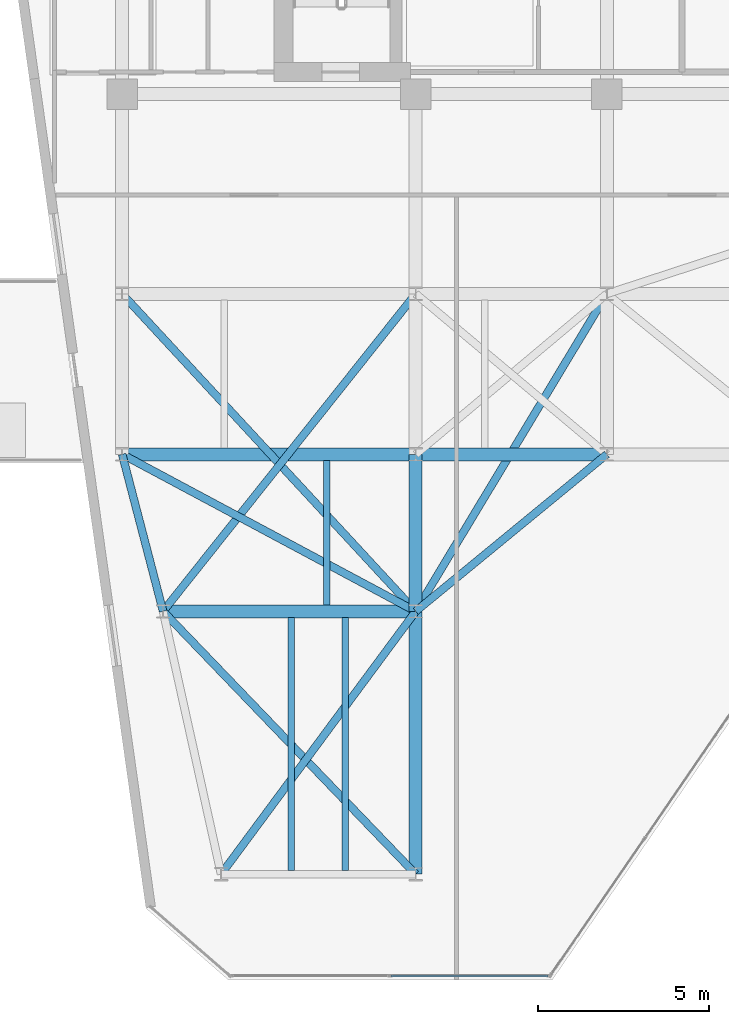
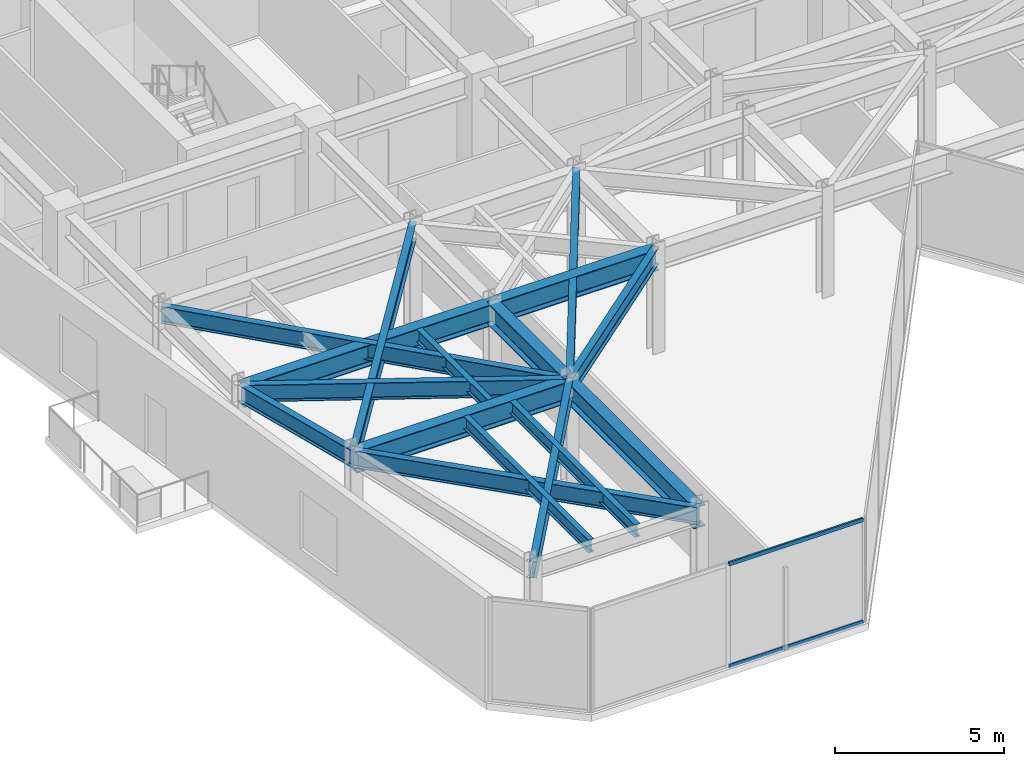
# One storey, part 3 of 21: 16 beams, 2 members, 1 element without a shape of its own.
"""IFC4 building model written with IfcOpenShell, lengths in metres."""

from ifc_helpers import new_model, si_unit, direction, frame, origin, origin_2d, place, context, subcontext, project, spatial, hollow_rectangle, i_section, extrude, material, layer, layer_set, material_profile, profile_set, type_object, element, aggregate, save


model = new_model("IFC4")

# Units and contexts
model_context = context("Model", 3, precision=1e-05, world=origin(), true_north=direction((0.0, 1.0)))
body_context = subcontext(model_context, "Body", "Model", "MODEL_VIEW")
ifc_project = project(units=[si_unit("LENGTHUNIT", "METRE"), si_unit("AREAUNIT", "SQUARE_METRE"), si_unit("VOLUMEUNIT", "CUBIC_METRE"), si_unit("PLANEANGLEUNIT", "RADIAN"), si_unit("MASSUNIT", "GRAM", prefix="KILO")], contexts=[model_context])

# Site, building, storey
site_placement = place(None, origin())
site = spatial("IfcSite", under=ifc_project, at=site_placement, CompositionType="ELEMENT")
building_placement = place(site_placement, origin())
building = spatial("IfcBuilding", under=site, at=building_placement, Name="Kravanh Interchange Tower", CompositionType="ELEMENT")
storey_placement = place(building_placement, frame((0.0, 0.0, 200.5)))
storey = spatial("IfcBuildingStorey", under=building, at=storey_placement, Name="L48", CompositionType="ELEMENT", Elevation=200.5)

# Curtain wall, members
ifc_material_1 = material(Name="Anodised Bronze Aluminium", Category="aluminium")
ifc_layer = layer(ifc_material_1, 0.179931640625)
ifc_layer_set = layer_set([ifc_layer], Name="Unitised Curtain Wall System CW-Z3 Upper Office")
curtain_wall_type = type_object("IfcCurtainWallType", Name="Unitised Curtain Wall System CW-Z3 Upper Office", PredefinedType="NOTDEFINED", material=ifc_layer_set)
curtain_wall_placement = place(storey_placement, origin())
curtain_wall = element("IfcCurtainWall", 1, at=curtain_wall_placement, inside=storey, type_object=curtain_wall_type, Name="L48 Unitised Curtain Wall CW-L48-05", PredefinedType="NOTDEFINED")
ifc_material_2 = material(Name="Anodised Bronze Aluminium", Category="aluminium")
ifc_material_profile_1 = material_profile(ifc_material_2, hollow_rectangle(XDim=0.06005859375, YDim=0.139892578125, WallThickness=0.00390625, at=origin_2d()), Name="ALU60X140X4")
ifc_profile_set_1 = profile_set([ifc_material_profile_1], Name="Anodised Bronze Aluminium")
member_type = type_object("IfcMemberType", Name="Curtain Wall Transom ALU60X140X4 Bronze", PredefinedType="USERDEFINED", material=ifc_profile_set_1)
member_1_placement = place(storey_placement, frame((31.076904296875, 11.52001953125, 0.030029296875), z_axis=(-1.0, 0.0, 0.0), x_axis=(0.0, -1.0, 0.0)))
member_1 = element("IfcMember", 2, at=member_1_placement, type_object=member_type, Name="CW-Z3 transom 1.1", ObjectType="TRANSOM", PredefinedType="USERDEFINED", context=body_context, shape_type="SweptSolid", body=[
    extrude(hollow_rectangle(XDim=0.06005859375, YDim=0.139892578125, WallThickness=0.00390625, at=origin_2d()), origin(), (0.0, 0.0, 1.0), 4.598876953125),
])
member_2_placement = place(storey_placement, frame((31.076904296875, 11.52001953125, 3.72509765625), z_axis=(-1.0, 0.0, 0.0), x_axis=(0.0, -1.0, 0.0)))
member_2 = element("IfcMember", 3, at=member_2_placement, type_object=member_type, Name="CW-Z3 transom 1.2", ObjectType="TRANSOM", PredefinedType="USERDEFINED", context=body_context, shape_type="SweptSolid", body=[
    extrude(hollow_rectangle(XDim=0.06005859375, YDim=0.139892578125, WallThickness=0.00390625, at=origin_2d()), origin(), (0.0, 0.0, 1.0), 4.598876953125),
])
aggregate(curtain_wall, [member_1, member_2])

# Beams
ifc_material_3 = material(Name="Structural Steel S355", Category="steel")
ifc_material_profile_2 = material_profile(ifc_material_3, i_section(OverallWidth=0.381103515625, OverallDepth=0.77294921875, WebThickness=0.0166015625, FlangeThickness=0.027099609375, FilletRadius=0.02490234375, at=origin_2d()), Name="W30X173")
ifc_profile_set_2 = profile_set([ifc_material_profile_2], Name="Structural Steel S355")
beam_type_1 = type_object("IfcBeamType", Name="Floor Beam W30X173 Structural Steel S355", PredefinedType="BEAM", material=ifc_profile_set_2)
beam_1_placement = place(storey_placement, frame((18.60009765625, 26.800048828125, 3.368408203125), z_axis=(1.0, 0.0, 0.0), x_axis=(0.0, 1.0, 0.0)))
element("IfcBeam", 4, at=beam_1_placement, inside=storey, type_object=beam_type_1, Name="L48 Primary Floor Girder 35", PredefinedType="BEAM", context=body_context, shape_type="SweptSolid", body=[
    extrude(i_section(OverallWidth=0.381103515625, OverallDepth=0.77294921875, WebThickness=0.0166015625, FlangeThickness=0.027099609375, FilletRadius=0.02490234375, at=origin_2d()), origin(), (0.0, 0.0, 1.0), 8.599853515625),
])
beam_2_placement = place(storey_placement, frame((27.199951171875, 26.800048828125, 3.368408203125), z_axis=(0.0, -1.0, 0.0), x_axis=(1.0, 0.0, 0.0)))
element("IfcBeam", 5, at=beam_2_placement, inside=storey, type_object=beam_type_1, Name="L48 Primary Floor Girder 37", PredefinedType="BEAM", context=body_context, shape_type="SweptSolid", body=[
    extrude(i_section(OverallWidth=0.381103515625, OverallDepth=0.77294921875, WebThickness=0.0166015625, FlangeThickness=0.027099609375, FilletRadius=0.02490234375, at=origin_2d()), origin(), (0.0, 0.0, 1.0), 4.60009765625),
])
beam_3_placement = place(storey_placement, frame((27.199951171875, 26.800048828125, 3.368408203125), z_axis=(1.0, 0.0, 0.0), x_axis=(0.0, 1.0, 0.0)))
element("IfcBeam", 6, at=beam_3_placement, inside=storey, type_object=beam_type_1, Name="L48 Primary Floor Girder 39", PredefinedType="BEAM", context=body_context, shape_type="SweptSolid", body=[
    extrude(i_section(OverallWidth=0.381103515625, OverallDepth=0.77294921875, WebThickness=0.0166015625, FlangeThickness=0.027099609375, FilletRadius=0.02490234375, at=origin_2d()), origin(), (0.0, 0.0, 1.0), 5.60009765625),
])
beam_4_placement = place(storey_placement, frame((27.199951171875, 14.5, 3.368408203125), z_axis=(0.0, 1.0, 0.0), x_axis=(-1.0, 0.0, 0.0)))
element("IfcBeam", 7, at=beam_4_placement, inside=storey, type_object=beam_type_1, Name="L48 Primary Floor Girder 70", PredefinedType="BEAM", context=body_context, shape_type="SweptSolid", body=[
    extrude(i_section(OverallWidth=0.381103515625, OverallDepth=0.77294921875, WebThickness=0.0166015625, FlangeThickness=0.027099609375, FilletRadius=0.02490234375, at=origin_2d()), origin(), (0.0, 0.0, 1.0), 7.699951171875),
])
beam_5_placement = place(storey_placement, frame((19.800048828125, 22.199951171875, 3.368408203125), z_axis=(1.0, 0.0, 0.0), x_axis=(0.0, 1.0, 0.0)))
element("IfcBeam", 8, at=beam_5_placement, inside=storey, type_object=beam_type_1, Name="L48 Primary Floor Girder 91", PredefinedType="BEAM", context=body_context, shape_type="SweptSolid", body=[
    extrude(i_section(OverallWidth=0.381103515625, OverallDepth=0.77294921875, WebThickness=0.0166015625, FlangeThickness=0.027099609375, FilletRadius=0.02490234375, at=origin_2d()), origin(), (0.0, 0.0, 1.0), 7.39990234375),
])
ifc_material_4 = material(Name="Structural Steel S355", Category="steel")
ifc_material_profile_3 = material_profile(ifc_material_4, i_section(OverallWidth=0.18994140625, OverallDepth=0.45703125, WebThickness=0.009033203125, FlangeThickness=0.014404296875, FilletRadius=0.01806640625, at=origin_2d()), Name="W18X50")
ifc_profile_set_3 = profile_set([ifc_material_profile_3], Name="Structural Steel S355")
beam_type_2 = type_object("IfcBeamType", Name="Floor Joist W18X50 Structural Steel S355", PredefinedType="JOIST", material=ifc_profile_set_3)
for number, where, z_axis, x_axis, name in (
    (9, (23.55810546875, 14.60888671875, 3.526611328125), (0.0, 1.0, 0.0), (-1.0, 0.0, 0.0), "L48 Secondary Floor Joist 1"),
    (10, (25.14208984375, 14.60888671875, 3.526611328125), (0.0, 1.0, 0.0), (-1.0, 0.0, 0.0), "L48 Secondary Floor Joist 2"),
):
    element("IfcBeam", number, at=place(storey_placement, frame(where, z_axis=z_axis, x_axis=x_axis)), inside=storey, type_object=beam_type_2, Name=name, PredefinedType="JOIST", context=body_context, shape_type="SweptSolid", body=[
        extrude(i_section(OverallWidth=0.18994140625, OverallDepth=0.45703125, WebThickness=0.009033203125, FlangeThickness=0.014404296875, FilletRadius=0.01806640625, at=origin_2d()), origin(), (0.0, 0.0, 1.0), 7.405517578125),
    ])
beam_6_placement = place(storey_placement, frame((24.597900390625, 22.385498046875, 3.526611328125), z_axis=(0.0, 1.0, 0.0), x_axis=(-1.0, 0.0, 0.0)))
element("IfcBeam", 11, at=beam_6_placement, inside=storey, type_object=beam_type_2, Name="L48 Secondary Floor Joist 6", PredefinedType="JOIST", context=body_context, shape_type="SweptSolid", body=[
    extrude(i_section(OverallWidth=0.18994140625, OverallDepth=0.45703125, WebThickness=0.009033203125, FlangeThickness=0.014404296875, FilletRadius=0.01806640625, at=origin_2d()), origin(), (0.0, 0.0, 1.0), 4.22900390625),
])
ifc_material_5 = material(Name="Structural Steel S355", Category="steel")
ifc_material_profile_4 = material_profile(ifc_material_5, i_section(OverallWidth=0.22802734375, OverallDepth=0.60791015625, WebThickness=0.01123046875, FlangeThickness=0.017333984375, FilletRadius=0.02197265625, at=origin_2d()), Name="W24X76")
ifc_profile_set_4 = profile_set([ifc_material_profile_4], Name="Structural Steel S355")
beam_type_3 = type_object("IfcBeamType", Name="Floor Spandrel W24X76 Structural Steel S355", PredefinedType="SPANDREL", material=ifc_profile_set_4)
beam_7_placement = place(storey_placement, frame((21.5, 14.5, 3.450927734375), z_axis=(0.59497703726, 0.803742698339, 0.0), x_axis=(-0.803742698339, 0.59497703726, 0.0)))
element("IfcBeam", 12, at=beam_7_placement, inside=storey, type_object=beam_type_3, Name="L48 Perimeter Spandrel 32", PredefinedType="SPANDREL", context=body_context, shape_type="SweptSolid", body=[
    extrude(i_section(OverallWidth=0.22802734375, OverallDepth=0.60791015625, WebThickness=0.01123046875, FlangeThickness=0.017333984375, FilletRadius=0.02197265625, at=origin_2d()), origin(), (0.0, 0.0, 1.0), 9.580078125),
])
beam_8_placement = place(storey_placement, frame((18.60009765625, 26.800048828125, 3.450927734375), z_axis=(0.252407263364, -0.967621089787, 0.0), x_axis=(0.967621089787, 0.252407263364, 0.0)))
element("IfcBeam", 13, at=beam_8_placement, inside=storey, type_object=beam_type_3, Name="L48 Perimeter Spandrel 34", PredefinedType="SPANDREL", context=body_context, shape_type="SweptSolid", body=[
    extrude(i_section(OverallWidth=0.22802734375, OverallDepth=0.60791015625, WebThickness=0.01123046875, FlangeThickness=0.017333984375, FilletRadius=0.02197265625, at=origin_2d()), origin(), (0.0, 0.0, 1.0), 4.75390625),
])
beam_9_placement = place(storey_placement, frame((18.60009765625, 26.800048828125, 3.450927734375), z_axis=(0.881777136221, -0.471666282489, 0.0), x_axis=(0.471666282489, 0.881777136221, 0.0)))
element("IfcBeam", 14, at=beam_9_placement, inside=storey, type_object=beam_type_3, Name="L48 Perimeter Spandrel 36", PredefinedType="SPANDREL", context=body_context, shape_type="SweptSolid", body=[
    extrude(i_section(OverallWidth=0.22802734375, OverallDepth=0.60791015625, WebThickness=0.01123046875, FlangeThickness=0.017333984375, FilletRadius=0.02197265625, at=origin_2d()), origin(), (0.0, 0.0, 1.0), 9.7529296875),
])
beam_10_placement = place(storey_placement, frame((32.800048828125, 26.800048828125, 3.450927734375), z_axis=(-0.772725074305, -0.634740860147, 0.0), x_axis=(0.634740860147, -0.772725074305, 0.0)))
element("IfcBeam", 15, at=beam_10_placement, inside=storey, type_object=beam_type_3, Name="L48 Perimeter Spandrel 43", PredefinedType="SPANDREL", context=body_context, shape_type="SweptSolid", body=[
    extrude(i_section(OverallWidth=0.22802734375, OverallDepth=0.60791015625, WebThickness=0.01123046875, FlangeThickness=0.017333984375, FilletRadius=0.02197265625, at=origin_2d()), origin(), (0.0, 0.0, 1.0), 7.247314453125),
])
beam_11_placement = place(storey_placement, frame((18.60009765625, 31.5, 3.450927734375), z_axis=(0.678927458783, -0.734205356634, 0.0), x_axis=(0.734205356634, 0.678927458783, 0.0)))
element("IfcBeam", 16, at=beam_11_placement, inside=storey, type_object=beam_type_3, Name="L48 Perimeter Spandrel 63", PredefinedType="SPANDREL", context=body_context, shape_type="SweptSolid", body=[
    extrude(i_section(OverallWidth=0.22802734375, OverallDepth=0.60791015625, WebThickness=0.01123046875, FlangeThickness=0.017333984375, FilletRadius=0.02197265625, at=origin_2d()), origin(), (0.0, 0.0, 1.0), 12.666748046875),
])
beam_12_placement = place(storey_placement, frame((27.199951171875, 31.5, 3.450927734375), z_axis=(-0.622633646541, -0.782513477324, 0.0), x_axis=(0.782513477324, -0.622633646541, 0.0)))
element("IfcBeam", 17, at=beam_12_placement, inside=storey, type_object=beam_type_3, Name="L48 Perimeter Spandrel 66", PredefinedType="SPANDREL", context=body_context, shape_type="SweptSolid", body=[
    extrude(i_section(OverallWidth=0.22802734375, OverallDepth=0.60791015625, WebThickness=0.01123046875, FlangeThickness=0.017333984375, FilletRadius=0.02197265625, at=origin_2d()), origin(), (0.0, 0.0, 1.0), 11.884765625),
])
beam_13_placement = place(storey_placement, frame((32.800048828125, 31.5, 3.450927734375), z_axis=(-0.515854375109, -0.856676288735, 0.0), x_axis=(0.856676288735, -0.515854375109, 0.0)))
element("IfcBeam", 18, at=beam_13_placement, inside=storey, type_object=beam_type_3, Name="L48 Perimeter Spandrel 69", PredefinedType="SPANDREL", context=body_context, shape_type="SweptSolid", body=[
    extrude(i_section(OverallWidth=0.22802734375, OverallDepth=0.60791015625, WebThickness=0.01123046875, FlangeThickness=0.017333984375, FilletRadius=0.02197265625, at=origin_2d()), origin(), (0.0, 0.0, 1.0), 10.85595703125),
])
beam_14_placement = place(storey_placement, frame((27.199951171875, 14.5, 3.450927734375), z_axis=(-0.692919091225, 0.721015348669, 0.0), x_axis=(-0.721015348669, -0.692919091225, 0.0)))
element("IfcBeam", 19, at=beam_14_placement, inside=storey, type_object=beam_type_3, Name="L48 Perimeter Spandrel 71", PredefinedType="SPANDREL", context=body_context, shape_type="SweptSolid", body=[
    extrude(i_section(OverallWidth=0.22802734375, OverallDepth=0.60791015625, WebThickness=0.01123046875, FlangeThickness=0.017333984375, FilletRadius=0.02197265625, at=origin_2d()), origin(), (0.0, 0.0, 1.0), 10.67919921875),
])

save(model, "model.ifc")
